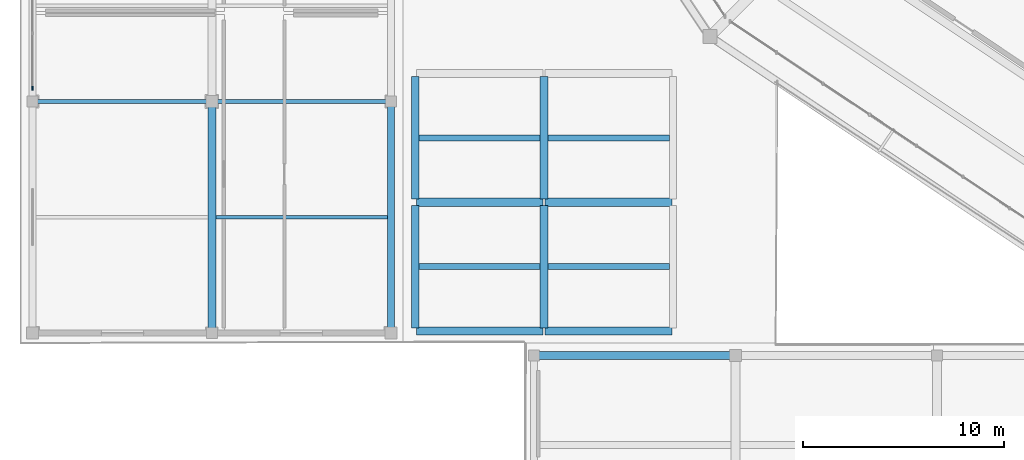
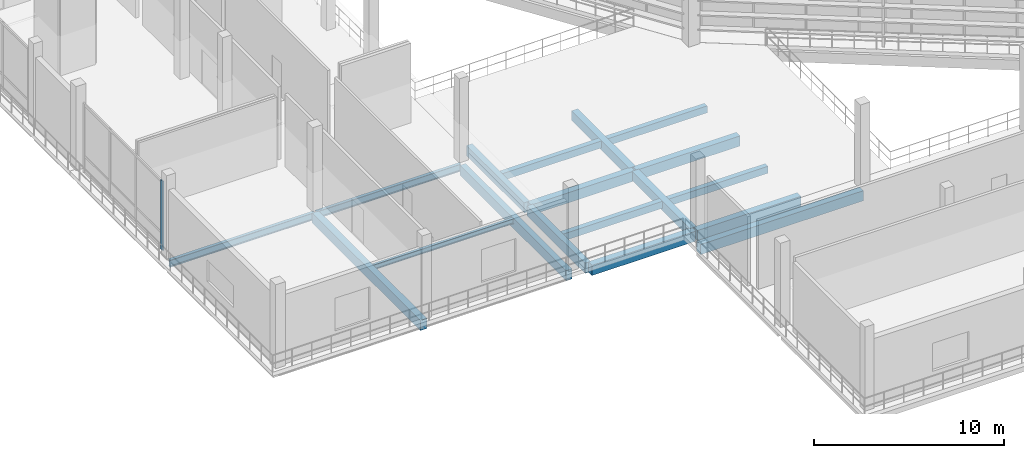
# One storey, part 8 of 111: 18 beams, 1 member, 1 element without a shape of its own.
"""IFC4 building model written with IfcOpenShell, lengths in metres."""

from ifc_helpers import new_model, si_unit, direction, frame, origin, origin_2d, place, context, subcontext, project, spatial, rectangle, i_section, extrude, material, material_profile, profile_set, type_object, element, aggregate, save


model = new_model("IFC4")

# Units and contexts
model_context = context("Model", 3, precision=1e-05, world=origin(), true_north=direction((0.0, 1.0)))
body_context = subcontext(model_context, "Body", "Model", "MODEL_VIEW")
ifc_project = project(units=[si_unit("LENGTHUNIT", "METRE"), si_unit("AREAUNIT", "SQUARE_METRE"), si_unit("VOLUMEUNIT", "CUBIC_METRE"), si_unit("PLANEANGLEUNIT", "RADIAN"), si_unit("MASSUNIT", "GRAM", prefix="KILO")], contexts=[model_context])

# Site, building, storey
site_placement = place(None, origin())
site = spatial("IfcSite", under=ifc_project, at=site_placement, CompositionType="ELEMENT")
building_placement = place(site_placement, origin())
building = spatial("IfcBuilding", under=site, at=building_placement, Name="Candeia Ridge Stadium", CompositionType="ELEMENT")
storey_placement = place(building_placement, frame((0.0, 0.0, 16.199951171875)))
storey = spatial("IfcBuildingStorey", under=building, at=storey_placement, Name="L03", CompositionType="ELEMENT", Elevation=16.199951171875)

# Curtain wall, member
ifc_material_1 = material(Name="Aluminium Anodized Warm Bronze", Category="aluminium")
curtain_wall_type = type_object("IfcCurtainWallType", Name="West Pavilion Hospitality Curtain Wall", PredefinedType="NOTDEFINED", material=ifc_material_1)
curtain_wall_placement = place(storey_placement, origin())
curtain_wall = element("IfcCurtainWall", 1, at=curtain_wall_placement, inside=storey, type_object=curtain_wall_type, Name="Unitised curtain wall CW-WNG-L03-087", PredefinedType="NOTDEFINED")
ifc_material_profile_1 = material_profile(ifc_material_1, rectangle(XDim=0.090087890625, YDim=0.179931640625, at=origin_2d()), Name="CWM-90x180", Category="aluminium")
ifc_profile_set_1 = profile_set([ifc_material_profile_1], Name="Aluminium Anodized Warm Bronze")
member_type = type_object("IfcMemberType", Name="Curtain Wall Primary Mullion 90x180", PredefinedType="MULLION", material=ifc_profile_set_1)
member_placement = place(storey_placement, frame((0.60009765625, 31.659912109375, 0.0), z_axis=(0.0, 0.0, 1.0), x_axis=(1.0, 0.0, 0.0)))
member = element("IfcMember", 2, at=member_placement, type_object=member_type, Name="Curtain wall mullion CW-WNG-L03-087-M0", PredefinedType="MULLION", context=body_context, shape_type="SweptSolid", body=[
    extrude(rectangle(XDim=0.090087890625, YDim=0.179931640625, at=origin_2d()), origin(), (0.0, 0.0, 1.0), 4.465087890625),
])
aggregate(curtain_wall, [member])

# Beams
ifc_material_2 = material(Name="Concrete C40/50", Category="concrete")
ifc_material_profile_2 = material_profile(ifc_material_2, rectangle(XDim=0.300048828125, YDim=0.449951171875, at=origin_2d()), Name="RC300x450", Category="concrete")
ifc_profile_set_2 = profile_set([ifc_material_profile_2], Name="Concrete C40/50")
beam_type_1 = type_object("IfcBeamType", Name="Floor Joist RC300x450", PredefinedType="JOIST", material=ifc_profile_set_2)
for number, where, z_axis, x_axis, name in (
    (3, (19.7744140625, 22.800048828125, -0.474853515625), (1.0, 0.0, 0.0), (0.0, 1.0, 0.0), "Wing secondary joist BM-L03-2407"),
    (4, (19.7744140625, 29.199951171875, -0.474853515625), (1.0, 0.0, 0.0), (0.0, 1.0, 0.0), "Wing secondary joist BM-L03-2409"),
    (5, (26.199462890625, 22.800048828125, -0.474853515625), (1.0, 0.0, 0.0), (0.0, 1.0, 0.0), "Wing secondary joist BM-L03-2412"),
    (6, (26.199462890625, 29.199951171875, -0.474853515625), (1.0, 0.0, 0.0), (0.0, 1.0, 0.0), "Wing secondary joist BM-L03-2414"),
):
    element("IfcBeam", number, at=place(storey_placement, frame(where, z_axis=z_axis, x_axis=x_axis)), inside=storey, type_object=beam_type_1, Name=name, PredefinedType="JOIST", context=body_context, shape_type="SweptSolid", body=[
        extrude(rectangle(XDim=0.300048828125, YDim=0.449951171875, at=origin_2d()), origin(), (0.0, 0.0, 1.0), 6.026123046875),
    ])
ifc_material_profile_3 = material_profile(ifc_material_2, rectangle(XDim=0.39990234375, YDim=0.60009765625, at=origin_2d()), Name="RC400x600", Category="concrete")
ifc_profile_set_3 = profile_set([ifc_material_profile_3], Name="Concrete C40/50")
beam_type_2 = type_object("IfcBeamType", Name="Frame Girder RC400x600", PredefinedType="BEAM", material=ifc_profile_set_3)
for number, where, z_axis, x_axis, name in (
    (7, (26.0, 19.760009765625, -0.550048828125), (0.0, 1.0, 0.0), (-1.0, 0.0, 0.0), "Structural girder BM-L03-2402"),
    (8, (26.0, 26.159912109375, -0.550048828125), (0.0, 1.0, 0.0), (-1.0, 0.0, 0.0), "Structural girder BM-L03-2403"),
):
    element("IfcBeam", number, at=place(storey_placement, frame(where, z_axis=z_axis, x_axis=x_axis)), inside=storey, type_object=beam_type_2, Name=name, PredefinedType="BEAM", context=body_context, shape_type="SweptSolid", body=[
        extrude(rectangle(XDim=0.39990234375, YDim=0.60009765625, at=origin_2d()), origin(), (0.0, 0.0, 1.0), 6.080078125),
    ])
ifc_material_3 = material(Name="Steel ASTM A572 Grade 50", Category="steel")
ifc_material_profile_4 = material_profile(ifc_material_3, i_section(OverallWidth=0.1669921875, OverallDepth=0.31689453125, WebThickness=0.007568359375, FlangeThickness=0.01318359375, FilletRadius=0.011962890625, at=origin_2d()), Name="W310x52", Category="steel")
ifc_profile_set_4 = profile_set([ifc_material_profile_4], Name="Steel ASTM A572 Grade 50")
beam_type_3 = type_object("IfcBeamType", Name="Pavilion Secondary Joist W310x52", PredefinedType="JOIST", material=ifc_profile_set_4)
beam_1_placement = place(storey_placement, frame((9.699462890625, 25.25, -0.408447265625), z_axis=(1.0, 0.0, 0.0), x_axis=(0.0, 1.0, 0.0)))
element("IfcBeam", 9, at=beam_1_placement, inside=storey, type_object=beam_type_3, Name="Wing secondary joist BM-L03-1250", PredefinedType="JOIST", context=body_context, shape_type="SweptSolid", body=[
    extrude(i_section(OverallWidth=0.1669921875, OverallDepth=0.31689453125, WebThickness=0.007568359375, FlangeThickness=0.01318359375, FilletRadius=0.011962890625, at=origin_2d()), origin(), (0.0, 0.0, 1.0), 8.526123046875),
])
ifc_material_profile_5 = material_profile(ifc_material_3, i_section(OverallWidth=0.18994140625, OverallDepth=0.45703125, WebThickness=0.009033203125, FlangeThickness=0.014404296875, FilletRadius=0.012939453125, at=origin_2d()), Name="W460x74", Category="steel")
ifc_profile_set_5 = profile_set([ifc_material_profile_5], Name="Steel ASTM A572 Grade 50")
beam_type_4 = type_object("IfcBeamType", Name="Pavilion Steel Girder W460x74", PredefinedType="BEAM", material=ifc_profile_set_5)
for number, where, z_axis, x_axis, name in (
    (10, (0.64990234375, 31.0, -0.478515625), (1.0, 0.0, 0.0), (0.0, 1.0, 0.0), "Structural girder BM-L03-1233"),
    (11, (9.550048828125, 31.0, -0.478515625), (1.0, 0.0, 0.0), (0.0, 1.0, 0.0), "Structural girder BM-L03-1251"),
):
    element("IfcBeam", number, at=place(storey_placement, frame(where, z_axis=z_axis, x_axis=x_axis)), inside=storey, type_object=beam_type_4, Name=name, PredefinedType="BEAM", context=body_context, shape_type="SweptSolid", body=[
        extrude(i_section(OverallWidth=0.18994140625, OverallDepth=0.45703125, WebThickness=0.009033203125, FlangeThickness=0.014404296875, FilletRadius=0.012939453125, at=origin_2d()), origin(), (0.0, 0.0, 1.0), 8.800048828125),
    ])
ifc_material_profile_6 = material_profile(ifc_material_2, rectangle(XDim=0.35009765625, YDim=0.64990234375, at=origin_2d()), Name="RC350x650", Category="concrete")
ifc_profile_set_6 = profile_set([ifc_material_profile_6], Name="Concrete C40/50")
beam_type_5 = type_object("IfcBeamType", Name="Spandrel Beam RC350x650", PredefinedType="SPANDREL", material=ifc_profile_set_6)
beam_2_placement = place(storey_placement, frame((18.39990234375, 19.659912109375, -0.574951171875), z_axis=(0.0, 1.0, 0.0), x_axis=(-1.0, 0.0, 0.0)))
element("IfcBeam", 12, at=beam_2_placement, inside=storey, type_object=beam_type_5, Name="Structural girder BM-L03-1219", PredefinedType="SPANDREL", context=body_context, shape_type="SweptSolid", body=[
    extrude(rectangle(XDim=0.35009765625, YDim=0.64990234375, at=origin_2d()), origin(), (0.0, 0.0, 1.0), 11.18017578125),
])
for number, where, z_axis, x_axis, name in (
    (13, (19.60009765625, 19.760009765625, -0.574951171875), (0.0, 1.0, 0.0), (-1.0, 0.0, 0.0), "Structural girder BM-L03-2400"),
    (14, (19.60009765625, 26.159912109375, -0.574951171875), (0.0, 1.0, 0.0), (-1.0, 0.0, 0.0), "Structural girder BM-L03-2401"),
):
    element("IfcBeam", number, at=place(storey_placement, frame(where, z_axis=z_axis, x_axis=x_axis)), inside=storey, type_object=beam_type_5, Name=name, PredefinedType="SPANDREL", context=body_context, shape_type="SweptSolid", body=[
        extrude(rectangle(XDim=0.35009765625, YDim=0.64990234375, at=origin_2d()), origin(), (0.0, 0.0, 1.0), 6.080078125),
    ])
ifc_material_profile_7 = material_profile(ifc_material_2, rectangle(XDim=0.39990234375, YDim=0.64990234375, at=origin_2d()), Name="RC400x650", Category="concrete")
ifc_profile_set_7 = profile_set([ifc_material_profile_7], Name="Concrete C40/50")
beam_type_6 = type_object("IfcBeamType", Name="Wing Primary Girder RC400x650", PredefinedType="BEAM", material=ifc_profile_set_7)
beam_3_placement = place(storey_placement, frame((9.5, 19.550048828125, -0.574951171875), z_axis=(0.0, 1.0, 0.0), x_axis=(-1.0, 0.0, 0.0)))
element("IfcBeam", 15, at=beam_3_placement, inside=storey, type_object=beam_type_6, Name="Structural girder BM-L03-1207", PredefinedType="BEAM", context=body_context, shape_type="SweptSolid", body=[
    extrude(rectangle(XDim=0.39990234375, YDim=0.64990234375, at=origin_2d()), origin(), (0.0, 0.0, 1.0), 11.39990234375),
])
beam_4_placement = place(storey_placement, frame((25.550048828125, 18.39990234375, -0.574951171875), z_axis=(1.0, 0.0, 0.0), x_axis=(0.0, 1.0, 0.0)))
element("IfcBeam", 16, at=beam_4_placement, inside=storey, type_object=beam_type_6, Name="Structural girder BM-L03-2295", PredefinedType="BEAM", context=body_context, shape_type="SweptSolid", body=[
    extrude(rectangle(XDim=0.39990234375, YDim=0.64990234375, at=origin_2d()), origin(), (0.0, 0.0, 1.0), 9.89990234375),
])
for number, where, z_axis, x_axis, name in (
    (17, (19.64990234375, 19.60009765625, -0.574951171875), (1.0, 0.0, 0.0), (0.0, 1.0, 0.0), "Structural girder BM-L03-2406"),
    (18, (19.64990234375, 26.0, -0.574951171875), (1.0, 0.0, 0.0), (0.0, 1.0, 0.0), "Structural girder BM-L03-2408"),
    (19, (26.050048828125, 19.60009765625, -0.574951171875), (1.0, 0.0, 0.0), (0.0, 1.0, 0.0), "Structural girder BM-L03-2411"),
    (20, (26.050048828125, 26.0, -0.574951171875), (1.0, 0.0, 0.0), (0.0, 1.0, 0.0), "Structural girder BM-L03-2413"),
):
    element("IfcBeam", number, at=place(storey_placement, frame(where, z_axis=z_axis, x_axis=x_axis)), inside=storey, type_object=beam_type_6, Name=name, PredefinedType="BEAM", context=body_context, shape_type="SweptSolid", body=[
        extrude(rectangle(XDim=0.39990234375, YDim=0.64990234375, at=origin_2d()), origin(), (0.0, 0.0, 1.0), 6.300048828125),
    ])

save(model, "model.ifc")
